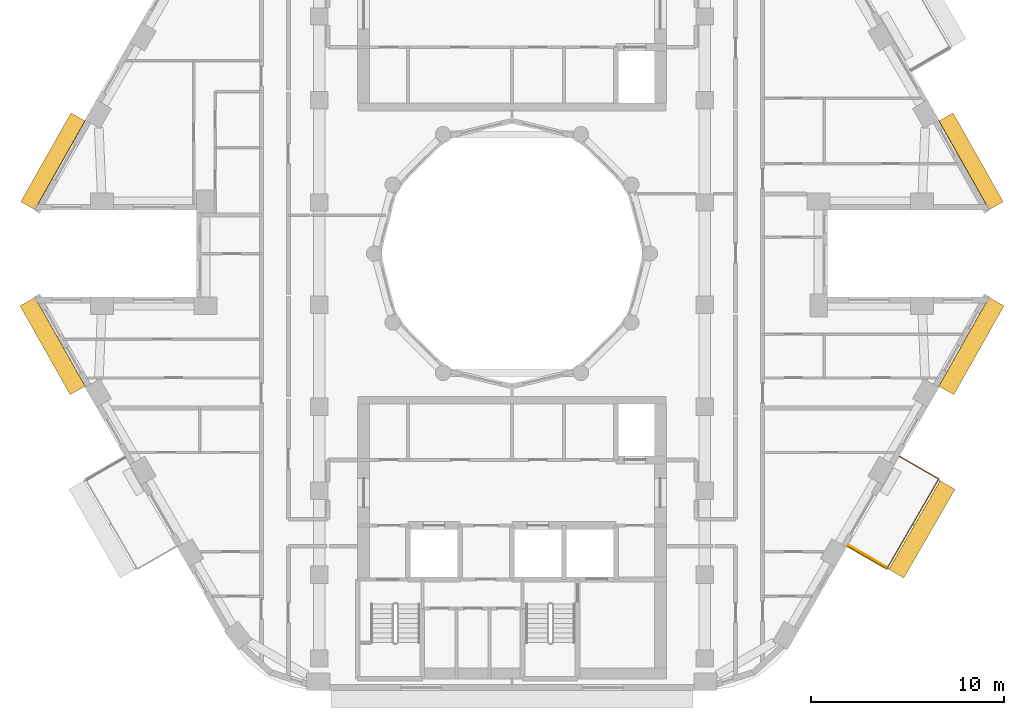
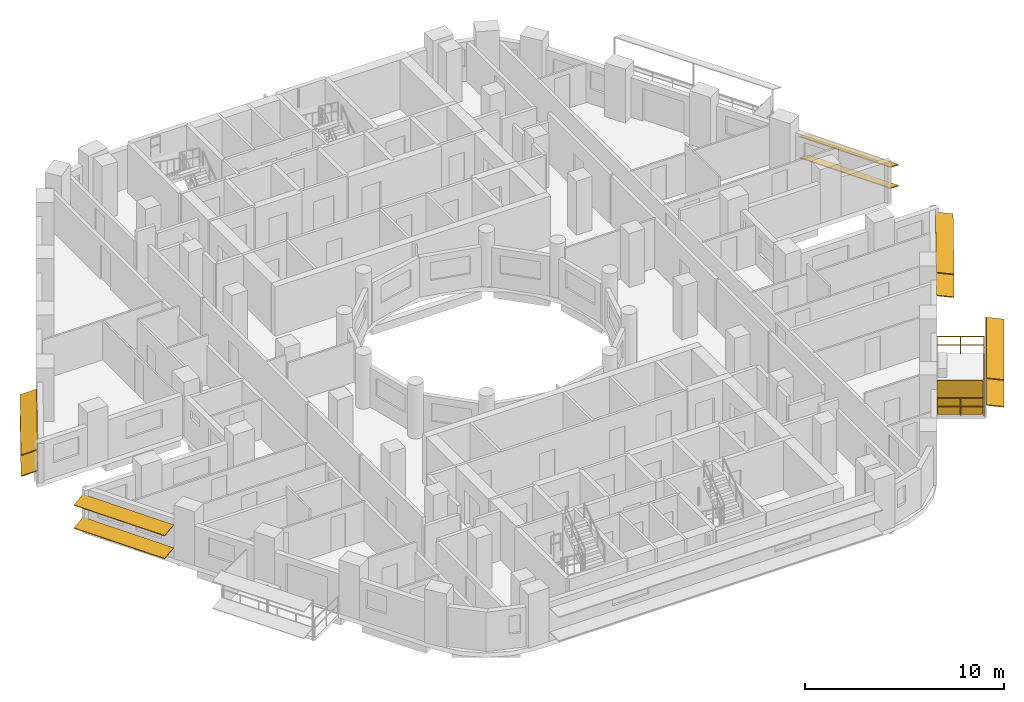
# One storey, part 16 of 18: 11 shading devices, 1 railing.
"""IFC4 building model written with IfcOpenShell, lengths in metres."""

from ifc_helpers import new_model, si_unit, direction, frame, origin, origin_2d, place, context, subcontext, project, spatial, rectangle, circle, extrude, material, layer, layer_set, material_profile, profile_set, type_object, element, save


model = new_model("IFC4")

# Units and contexts
model_context = context("Model", 3, precision=1e-05, world=origin(), true_north=direction((0.0, 1.0)))
body_context = subcontext(model_context, "Body", "Model", "MODEL_VIEW")
ifc_project = project(units=[si_unit("LENGTHUNIT", "METRE"), si_unit("AREAUNIT", "SQUARE_METRE"), si_unit("VOLUMEUNIT", "CUBIC_METRE"), si_unit("PLANEANGLEUNIT", "RADIAN"), si_unit("MASSUNIT", "GRAM", prefix="KILO")], contexts=[model_context])

# Site, building, storey
site_placement = place(None, origin())
site = spatial("IfcSite", under=ifc_project, at=site_placement, CompositionType="ELEMENT")
building_placement = place(site_placement, origin())
building = spatial("IfcBuilding", under=site, at=building_placement, Name="Nakaniwa Court", CompositionType="ELEMENT")
storey_placement = place(building_placement, frame((0.0, 0.0, 180.0)))
storey = spatial("IfcBuildingStorey", under=building, at=storey_placement, Name="L46", CompositionType="ELEMENT", Elevation=180.0)

# Railing
ifc_material_1 = material(Name="Black powder-coated steel flat bar balustrade S275", Category="steel")
railing_type = type_object("IfcRailingType", Name="Black metal balcony guard 1100", PredefinedType="GUARDRAIL", material=ifc_material_1)
railing_placement = place(storey_placement, frame((97.39111328125, 64.822021484375, -0.050048828125)))
element("IfcRailing", 1, at=railing_placement, inside=storey, type_object=railing_type, Name="L46 balcony guard 02", PredefinedType="GUARDRAIL", context=body_context, shape_type="SweptSolid", body=[
    extrude(circle(Radius=0.02392578125, at=origin_2d()), frame((0.0, 0.0, 1.076171875), z_axis=(0.866025363618, -0.50000006957, 0.0), x_axis=(0.50000006957, 0.866025363618, 0.0)), (0.0, 0.0, 1.0), 2.35986328125),
    extrude(circle(Radius=0.02392578125, at=origin_2d()), frame((0.0, 0.0, 0.550048828125), z_axis=(0.866025363618, -0.50000006957, 0.0), x_axis=(0.50000006957, 0.866025363618, 0.0)), (0.0, 0.0, 1.0), 2.35986328125),
    extrude(circle(Radius=0.02392578125, at=origin_2d()), frame((2.043701171875, -1.179931640625, 1.076171875), z_axis=(0.499982522799, 0.866035494016, 0.0), x_axis=(-0.866035494016, 0.499982522799, 0.0)), (0.0, 0.0, 1.0), 5.390380859375),
    extrude(circle(Radius=0.02392578125, at=origin_2d()), frame((2.043701171875, -1.179931640625, 0.550048828125), z_axis=(0.499982522799, 0.866035494016, 0.0), x_axis=(-0.866035494016, 0.499982522799, 0.0)), (0.0, 0.0, 1.0), 5.390380859375),
    extrude(circle(Radius=0.02392578125, at=origin_2d()), frame((4.73876953125, 3.48828125, 1.076171875), z_axis=(-0.866025363618, 0.50000006957, 0.0), x_axis=(-0.50000006957, -0.866025363618, 0.0)), (0.0, 0.0, 1.0), 2.35986328125),
    extrude(circle(Radius=0.02392578125, at=origin_2d()), frame((4.73876953125, 3.48828125, 0.550048828125), z_axis=(-0.866025363618, 0.50000006957, 0.0), x_axis=(-0.50000006957, -0.866025363618, 0.0)), (0.0, 0.0, 1.0), 2.35986328125),
    extrude(circle(Radius=0.02099609375, at=origin_2d()), origin(), (0.0, 0.0, 1.0), 1.052001953125),
    extrude(circle(Radius=0.02099609375, at=origin_2d()), frame((1.02197265625, -0.58984375, 0.0)), (0.0, 0.0, 1.0), 1.052001953125),
    extrude(circle(Radius=0.02099609375, at=origin_2d()), frame((2.043701171875, -1.179931640625, 0.0)), (0.0, 0.0, 1.0), 1.052001953125),
    extrude(circle(Radius=0.02099609375, at=origin_2d()), frame((2.582763671875, -0.246337890625, 0.0)), (0.0, 0.0, 1.0), 1.052001953125),
    extrude(circle(Radius=0.02099609375, at=origin_2d()), frame((3.121826171875, 0.687255859375, 0.0)), (0.0, 0.0, 1.0), 1.052001953125),
    extrude(circle(Radius=0.02099609375, at=origin_2d()), frame((3.66064453125, 1.62109375, 0.0)), (0.0, 0.0, 1.0), 1.052001953125),
    extrude(circle(Radius=0.02099609375, at=origin_2d()), frame((4.19970703125, 2.5546875, 0.0)), (0.0, 0.0, 1.0), 1.052001953125),
    extrude(circle(Radius=0.02099609375, at=origin_2d()), frame((4.73876953125, 3.48828125, 0.0)), (0.0, 0.0, 1.0), 1.052001953125),
    extrude(circle(Radius=0.02099609375, at=origin_2d()), frame((3.716796875, 4.078125, 0.0)), (0.0, 0.0, 1.0), 1.052001953125),
    extrude(circle(Radius=0.02099609375, at=origin_2d()), frame((2.695068359375, 4.668212890625, 0.0)), (0.0, 0.0, 1.0), 1.052001953125),
])

# Shading devices
ifc_material_2 = material(Name="Black powder-coated aluminium slat screen", Category="aluminium")
ifc_layer = layer(ifc_material_2, 0.0400390625)
ifc_layer_set = layer_set([ifc_layer], Name="Black powder-coated aluminium slat screen")
shading_device_type_1 = type_object("IfcShadingDeviceType", Name="Koshi screen black metal", PredefinedType="USERDEFINED", material=ifc_layer_set)
shading_device_placement = place(storey_placement, frame((98.43115234375, 64.313720703125, -0.050048828125), z_axis=(0.0, 0.0, 1.0), x_axis=(0.500016626402, 0.866015804314, 0.0)))
element("IfcShadingDevice", 2, at=shading_device_placement, inside=storey, type_object=shading_device_type_1, Name="L46 balcony SCREEN 02 W", ObjectType="KOSHI SCREEN", PredefinedType="USERDEFINED", context=body_context, shape_type="SweptSolid", body=[
    extrude(rectangle(XDim=0.0400390625, YDim=2.31005859375, at=origin_2d()), origin(), (0.0, 0.0, 1.0), 2.10009765625),
])
ifc_material_3 = material(Name="Perforated charcoal ceramic louvre blade")
ifc_material_profile = material_profile(ifc_material_3, rectangle(XDim=0.89990234375, YDim=0.050048828125, at=origin_2d()), Name="Perforated ceramic louvre blade")
ifc_profile_set = profile_set([ifc_material_profile], Name="Perforated charcoal ceramic louvre blade")
shading_device_type_2 = type_object("IfcShadingDeviceType", Name="Perforated ceramic louvre blade", PredefinedType="JALOUSIE", material=ifc_profile_set)
for number, where, z_axis, x_axis, name in (
    (3, (99.930419921875, 63.40185546875, 0.5), (0.49999571177, 0.866027879581, 0.0), (-0.858618891017, 0.495718179143, 0.13052619222), "L46 perforated ceramic louvre blade 02 1"),
    (4, (99.930419921875, 63.40185546875, 2.14990234375), (0.49999571177, 0.866027879581, 0.0), (-0.858618891017, 0.495718179143, 0.13052619222), "L46 perforated ceramic louvre blade 02 2"),
):
    element("IfcShadingDevice", number, at=place(storey_placement, frame(where, z_axis=z_axis, x_axis=x_axis)), inside=storey, type_object=shading_device_type_2, Name=name, PredefinedType="JALOUSIE", context=body_context, shape_type="SweptSolid", body=[
        extrude(rectangle(XDim=0.89990234375, YDim=0.050048828125, at=origin_2d()), origin(), (0.0, 0.0, 1.0), 5.310546875),
    ])
for number, where, z_axis, x_axis, name in (
    (5, (105.103759765625, 82.480224609375, 0.550048828125), (-0.492005517921, 0.870592080331, 0.0), (-0.804902454764, -0.454881750109, 0.38107037635), "L46 perforated ceramic louvre blade w02 1"),
    (6, (105.103759765625, 82.480224609375, 1.845458984375), (-0.492005517921, 0.870592080331, 0.0), (-0.804902454764, -0.454881750109, 0.38107037635), "L46 perforated ceramic louvre blade w02 2"),
    (7, (57.497314453125, 87.082763671875, 0.550048828125), (-0.492005517921, -0.870592080331, 0.0), (0.804902454764, -0.454881750109, 0.38107037635), "L46 perforated ceramic louvre blade w14 1"),
    (8, (57.497314453125, 87.082763671875, 1.845458984375), (-0.492005517921, -0.870592080331, 0.0), (0.804902454764, -0.454881750109, 0.38107037635), "L46 perforated ceramic louvre blade w14 2"),
):
    element("IfcShadingDevice", number, at=place(storey_placement, frame(where, z_axis=z_axis, x_axis=x_axis)), inside=storey, type_object=shading_device_type_2, Name=name, PredefinedType="JALOUSIE", context=body_context, shape_type="SweptSolid", body=[
        extrude(rectangle(XDim=0.89990234375, YDim=0.050048828125, at=origin_2d()), origin(), (0.0, 0.0, 1.0), 5.28662109375),
    ])
for number, where, z_axis, x_axis, name in (
    (9, (54.87548828125, 77.508056640625, 0.550048828125), (0.492040518232, -0.870572299363, 0.0), (0.862924792041, 0.487718208105, 0.132256390257), "L46 perforated ceramic louvre blade w20 1"),
    (10, (54.87548828125, 77.508056640625, 1.955810546875), (0.492040518232, -0.870572299363, 0.0), (0.862924792041, 0.487718208105, 0.132256390257), "L46 perforated ceramic louvre blade w20 2"),
    (11, (102.523193359375, 72.905517578125, 0.550048828125), (0.492040518232, 0.870572299363, 0.0), (-0.862924792041, 0.487718208105, 0.132256390257), "L46 perforated ceramic louvre blade w32 1"),
    (12, (102.523193359375, 72.905517578125, 1.955810546875), (0.492040518232, 0.870572299363, 0.0), (-0.862924792041, 0.487718208105, 0.132256390257), "L46 perforated ceramic louvre blade w32 2"),
):
    element("IfcShadingDevice", number, at=place(storey_placement, frame(where, z_axis=z_axis, x_axis=x_axis)), inside=storey, type_object=shading_device_type_2, Name=name, PredefinedType="JALOUSIE", context=body_context, shape_type="SweptSolid", body=[
        extrude(rectangle(XDim=0.89990234375, YDim=0.050048828125, at=origin_2d()), origin(), (0.0, 0.0, 1.0), 5.286865234375),
    ])

save(model, "model.ifc")
